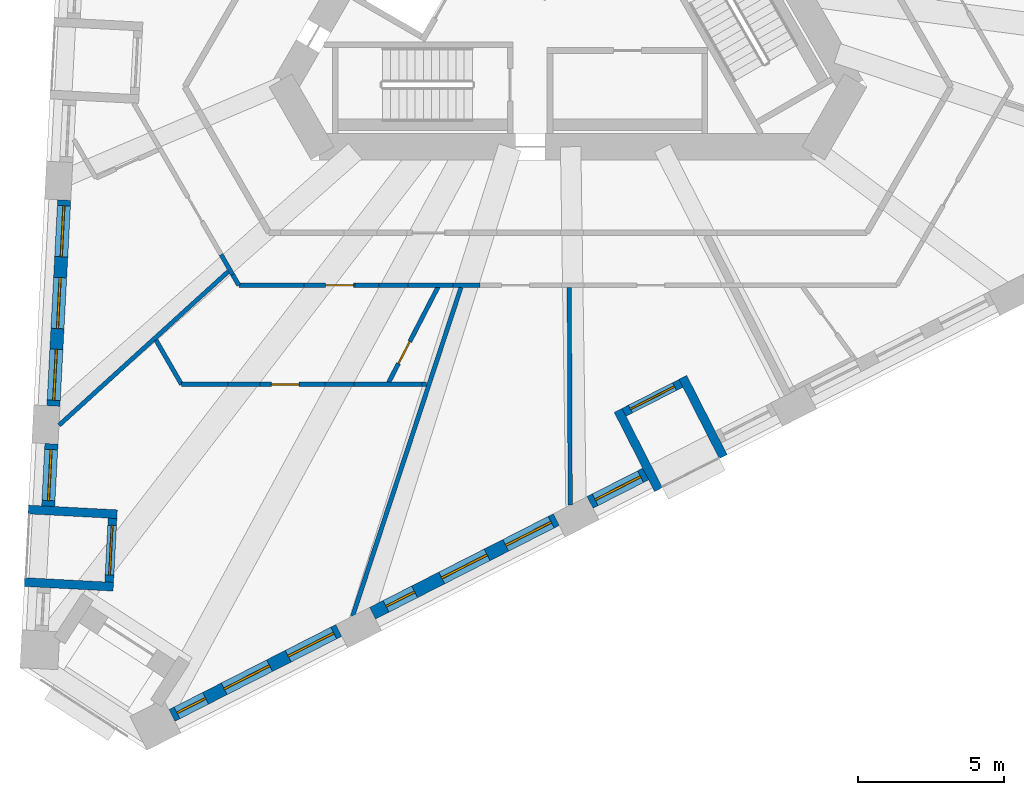
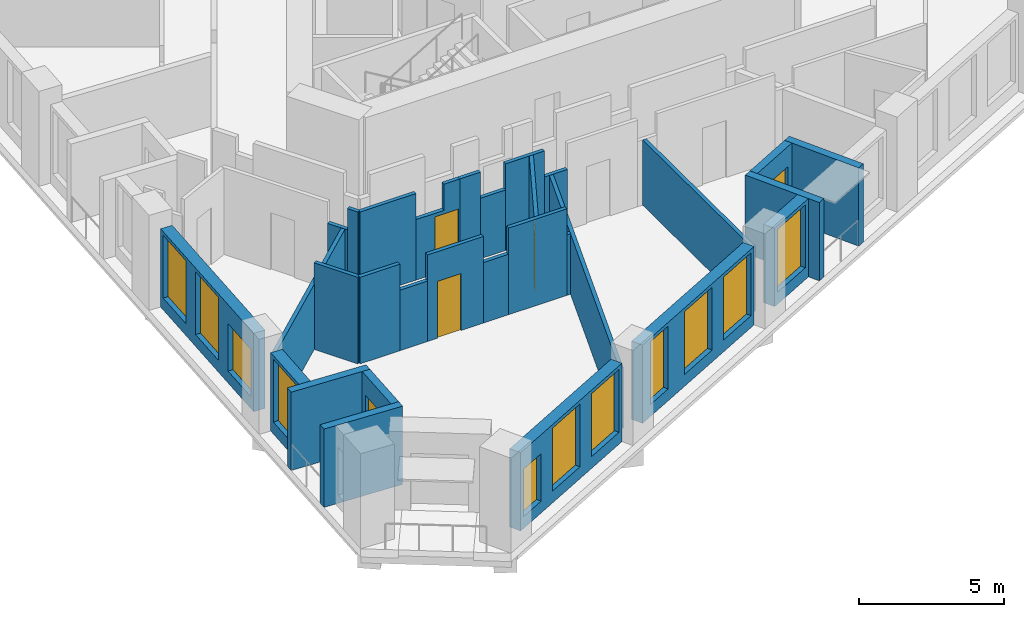
# One storey, part 2 of 12: 30 walls, 11 windows, 5 doors, 16 openings.
"""IFC4 building model written with IfcOpenShell, lengths in metres."""

from ifc_helpers import new_model, si_unit, direction, frame, frame_2d, origin, place, context, subcontext, project, spatial, polyline, rectangle, outline, extrude, material, layer, layer_set, type_object, element, fill, save


model = new_model("IFC4")

# Units and contexts
model_context = context("Model", 3, precision=1e-05, world=origin(), true_north=direction((0.0, 1.0)))
body_context = subcontext(model_context, "Body", "Model", "MODEL_VIEW")
ifc_project = project(units=[si_unit("LENGTHUNIT", "METRE"), si_unit("AREAUNIT", "SQUARE_METRE"), si_unit("VOLUMEUNIT", "CUBIC_METRE"), si_unit("PLANEANGLEUNIT", "RADIAN"), si_unit("MASSUNIT", "GRAM", prefix="KILO")], contexts=[model_context])

# Site, building, storey
site_placement = place(None, origin())
site = spatial("IfcSite", under=ifc_project, at=site_placement, CompositionType="ELEMENT")
building_placement = place(site_placement, origin())
building = spatial("IfcBuilding", under=site, at=building_placement, Name="Tramontana Tower", CompositionType="ELEMENT")
storey_placement = place(building_placement, frame((0.0, 0.0, 133.60009765625)))
storey = spatial("IfcBuildingStorey", under=building, at=storey_placement, Name="L30", CompositionType="ELEMENT", Elevation=133.60009765625)

# Wall, openings, windows
ifc_material_1 = material(Name="Precast concrete 60 MPa", Category="concrete")
ifc_layer_1 = layer(ifc_material_1, 0.449951171875)
ifc_layer_set_1 = layer_set([ifc_layer_1], Name="Precast concrete 60 MPa, 450 mm")
wall_type_1 = type_object("IfcWallType", Name="EW1 Stone-faced precast wall 450", PredefinedType="SOLIDWALL", material=ifc_layer_set_1)
wall_1_placement = place(storey_placement, frame((-17.274169921875, -8.128662109375, 0.0), z_axis=(0.0, 0.0, 1.0), x_axis=(-0.052339570873, -0.998629345313, 0.0)))
wall_1 = element("IfcWall", 1, at=wall_1_placement, inside=storey, type_object=wall_type_1, Name="External wall L30 face 0 bay 5", PredefinedType="SOLIDWALL", context=body_context, shape_type="SweptSolid", body=[
    extrude(rectangle(XDim=7.071533203125, YDim=0.449951171875, at=frame_2d((3.53564453125, 0.0))), origin(), (0.0, 0.0, 1.0), 3.2998046875),
])
opening_1_placement = place(wall_1_placement, frame((0.1953125, 0.0, 0.5)))
opening_1 = element("IfcOpeningElement", 2, at=opening_1_placement, cuts=wall_1, Name="Opening M2", PredefinedType="OPENING", context=body_context, shape_type="SweptSolid", body=[
    extrude(rectangle(XDim=1.75, YDim=2.64990234375, at=frame_2d((0.875, 1.324951171875))), frame((0.0, 0.23486328125, 0.0), z_axis=(0.0, -1.0, 0.0), x_axis=(1.0, 0.0, 0.0)), (0.0, 0.0, 1.0), 0.469970703125),
])
opening_2_placement = place(wall_1_placement, frame((2.660888671875, 0.0, 0.5)))
opening_2 = element("IfcOpeningElement", 3, at=opening_2_placement, cuts=wall_1, Name="Opening M2", PredefinedType="OPENING", context=body_context, shape_type="SweptSolid", body=[
    extrude(rectangle(XDim=1.75, YDim=2.64990234375, at=frame_2d((0.875, 1.324951171875))), frame((0.0, 0.23486328125, 0.0), z_axis=(0.0, -1.0, 0.0), x_axis=(1.0, 0.0, 0.0)), (0.0, 0.0, 1.0), 0.469970703125),
])
opening_3_placement = place(wall_1_placement, frame((5.126220703125, 0.0, 0.5)))
opening_3 = element("IfcOpeningElement", 4, at=opening_3_placement, cuts=wall_1, Name="Opening M2L", PredefinedType="OPENING", context=body_context, shape_type="SweptSolid", body=[
    extrude(rectangle(XDim=1.75, YDim=2.0, at=frame_2d((0.875, 1.0))), frame((0.0, 0.23486328125, 0.0), z_axis=(0.0, -1.0, 0.0), x_axis=(1.0, 0.0, 0.0)), (0.0, 0.0, 1.0), 0.469970703125),
])
ifc_material_2 = material(Name="Aluminum frame, double glazing unit", Category="aluminium")
window_type_1 = type_object("IfcWindowType", Name="M2 Window 1.75 x 2.65", PartitioningType="SINGLE_PANEL", PredefinedType="WINDOW", material=ifc_material_2)
window_1_placement = place(opening_1_placement, origin())
window_1 = element("IfcWindow", 5, at=window_1_placement, inside=storey, type_object=window_type_1, Name="Window M2 L30 face 0 module 13", OverallHeight=2.64990234375, OverallWidth=1.75, PartitioningType="SINGLE_PANEL", PredefinedType="WINDOW", context=body_context, shape_type="SweptSolid", body=[
    extrude(rectangle(XDim=1.75, YDim=2.64990234375, at=frame_2d((0.875, 1.324951171875))), frame((0.0, 0.030029296875, 0.0), z_axis=(0.0, -1.0, 0.0), x_axis=(1.0, 0.0, 0.0)), (0.0, 0.0, 1.0), 0.06005859375),
])
fill(opening_1, window_1)
window_2_placement = place(opening_2_placement, origin())
window_2 = element("IfcWindow", 6, at=window_2_placement, inside=storey, type_object=window_type_1, Name="Window M2 L30 face 0 module 14", OverallHeight=2.64990234375, OverallWidth=1.75, PartitioningType="SINGLE_PANEL", PredefinedType="WINDOW", context=body_context, shape_type="SweptSolid", body=[
    extrude(rectangle(XDim=1.75, YDim=2.64990234375, at=frame_2d((0.875, 1.324951171875))), frame((0.0, 0.030029296875, 0.0), z_axis=(0.0, -1.0, 0.0), x_axis=(1.0, 0.0, 0.0)), (0.0, 0.0, 1.0), 0.06005859375),
])
fill(opening_2, window_2)
ifc_material_3 = material(Name="Aluminum frame, double glazing unit", Category="aluminium")
window_type_2 = type_object("IfcWindowType", Name="M2L Window 1.75 x 2", PartitioningType="SINGLE_PANEL", PredefinedType="WINDOW", material=ifc_material_3)
window_3_placement = place(opening_3_placement, origin())
window_3 = element("IfcWindow", 7, at=window_3_placement, inside=storey, type_object=window_type_2, Name="Window M2L L30 face 0 module 15", OverallHeight=2.0, OverallWidth=1.75, PartitioningType="SINGLE_PANEL", PredefinedType="WINDOW", context=body_context, shape_type="SweptSolid", body=[
    extrude(rectangle(XDim=1.75, YDim=2.0, at=frame_2d((0.875, 1.0))), frame((0.0, 0.030029296875, 0.0), z_axis=(0.0, -1.0, 0.0), x_axis=(1.0, 0.0, 0.0)), (0.0, 0.0, 1.0), 0.06005859375),
])
fill(opening_3, window_3)

# Wall, opening, window
wall_2_placement = place(storey_placement, frame((-17.712158203125, -16.48876953125, 0.0), z_axis=(0.0, 0.0, 1.0), x_axis=(-0.05234931875, -0.998628834366, 0.0)))
wall_2 = element("IfcWall", 8, at=wall_2_placement, inside=storey, type_object=wall_type_1, Name="External wall L30 face 0 bay 6", PredefinedType="SOLIDWALL", context=body_context, shape_type="SweptSolid", body=[
    extrude(rectangle(XDim=2.140625, YDim=0.449951171875, at=frame_2d((1.0703125, 0.0))), origin(), (0.0, 0.0, 1.0), 3.2998046875),
])
opening_4_placement = place(wall_2_placement, frame((0.1953125, 0.0, 0.5)))
opening_4 = element("IfcOpeningElement", 9, at=opening_4_placement, cuts=wall_2, Name="Opening M2", PredefinedType="OPENING", context=body_context, shape_type="SweptSolid", body=[
    extrude(rectangle(XDim=1.75, YDim=2.64990234375, at=frame_2d((0.875, 1.324951171875))), frame((0.0, 0.23486328125, 0.0), z_axis=(0.0, -1.0, 0.0), x_axis=(1.0, 0.0, 0.0)), (0.0, 0.0, 1.0), 0.469970703125),
])
window_4_placement = place(opening_4_placement, origin())
window_4 = element("IfcWindow", 10, at=window_4_placement, inside=storey, type_object=window_type_1, Name="Window M2 L30 face 0 module 16", OverallHeight=2.64990234375, OverallWidth=1.75, PartitioningType="SINGLE_PANEL", PredefinedType="WINDOW", context=body_context, shape_type="SweptSolid", body=[
    extrude(rectangle(XDim=1.75, YDim=2.64990234375, at=frame_2d((0.875, 1.324951171875))), frame((0.0, 0.030029296875, 0.0), z_axis=(0.0, -1.0, 0.0), x_axis=(1.0, 0.0, 0.0)), (0.0, 0.0, 1.0), 0.06005859375),
])
fill(opening_4, window_4)

# Wall, openings, windows
wall_3_placement = place(storey_placement, frame((-13.580810546875, -25.802734375, 0.0), z_axis=(0.0, 0.0, 1.0), x_axis=(0.891010191031, 0.453983303085, 0.0)))
wall_3 = element("IfcWall", 11, at=wall_3_placement, inside=storey, type_object=wall_type_1, Name="External wall L30 face 1 bay 1", PredefinedType="SOLIDWALL", context=body_context, shape_type="SweptSolid", body=[
    extrude(rectangle(XDim=6.421630859375, YDim=0.449951171875, at=frame_2d((3.2109375, 0.0))), origin(), (0.0, 0.0, 1.0), 3.2998046875),
])
opening_5_placement = place(wall_3_placement, frame((0.1953125, 0.0, 0.5)))
opening_5 = element("IfcOpeningElement", 12, at=opening_5_placement, cuts=wall_3, Name="Opening N2L", PredefinedType="OPENING", context=body_context, shape_type="SweptSolid", body=[
    extrude(rectangle(XDim=1.10009765625, YDim=2.0, at=frame_2d((0.550048828125, 1.0))), frame((0.0, 0.23486328125, 0.0), z_axis=(0.0, -1.0, 0.0), x_axis=(1.0, 0.0, 0.0)), (0.0, 0.0, 1.0), 0.469970703125),
])
opening_6_placement = place(wall_3_placement, frame((2.0107421875, 0.0, 0.5)))
opening_6 = element("IfcOpeningElement", 13, at=opening_6_placement, cuts=wall_3, Name="Opening M2", PredefinedType="OPENING", context=body_context, shape_type="SweptSolid", body=[
    extrude(rectangle(XDim=1.75, YDim=2.64990234375, at=frame_2d((0.875, 1.324951171875))), frame((0.0, 0.23486328125, 0.0), z_axis=(0.0, -1.0, 0.0), x_axis=(1.0, 0.0, 0.0)), (0.0, 0.0, 1.0), 0.469970703125),
])
opening_7_placement = place(wall_3_placement, frame((4.476318359375, 0.0, 0.5)))
opening_7 = element("IfcOpeningElement", 14, at=opening_7_placement, cuts=wall_3, Name="Opening M2", PredefinedType="OPENING", context=body_context, shape_type="SweptSolid", body=[
    extrude(rectangle(XDim=1.75, YDim=2.64990234375, at=frame_2d((0.875, 1.324951171875))), frame((0.0, 0.23486328125, 0.0), z_axis=(0.0, -1.0, 0.0), x_axis=(1.0, 0.0, 0.0)), (0.0, 0.0, 1.0), 0.469970703125),
])
window_5_placement = place(opening_6_placement, origin())
window_5 = element("IfcWindow", 15, at=window_5_placement, inside=storey, type_object=window_type_1, Name="Window M2 L30 face 1 module 2", OverallHeight=2.64990234375, OverallWidth=1.75, PartitioningType="SINGLE_PANEL", PredefinedType="WINDOW", context=body_context, shape_type="SweptSolid", body=[
    extrude(rectangle(XDim=1.75, YDim=2.64990234375, at=frame_2d((0.875, 1.324951171875))), frame((0.0, 0.030029296875, 0.0), z_axis=(0.0, -1.0, 0.0), x_axis=(1.0, 0.0, 0.0)), (0.0, 0.0, 1.0), 0.06005859375),
])
fill(opening_6, window_5)
window_6_placement = place(opening_7_placement, origin())
window_6 = element("IfcWindow", 16, at=window_6_placement, inside=storey, type_object=window_type_1, Name="Window M2 L30 face 1 module 3", OverallHeight=2.64990234375, OverallWidth=1.75, PartitioningType="SINGLE_PANEL", PredefinedType="WINDOW", context=body_context, shape_type="SweptSolid", body=[
    extrude(rectangle(XDim=1.75, YDim=2.64990234375, at=frame_2d((0.875, 1.324951171875))), frame((0.0, 0.030029296875, 0.0), z_axis=(0.0, -1.0, 0.0), x_axis=(1.0, 0.0, 0.0)), (0.0, 0.0, 1.0), 0.06005859375),
])
fill(opening_7, window_6)
ifc_material_4 = material(Name="Aluminum frame, double glazing unit", Category="aluminium")
window_type_3 = type_object("IfcWindowType", Name="N2L Window 1.1 x 2", PartitioningType="SINGLE_PANEL", PredefinedType="WINDOW", material=ifc_material_4)
window_7_placement = place(opening_5_placement, origin())
window_7 = element("IfcWindow", 17, at=window_7_placement, inside=storey, type_object=window_type_3, Name="Window N2L L30 face 1 module 1", OverallHeight=2.0, OverallWidth=1.10009765625, PartitioningType="SINGLE_PANEL", PredefinedType="WINDOW", context=body_context, shape_type="SweptSolid", body=[
    extrude(rectangle(XDim=1.10009765625, YDim=2.0, at=frame_2d((0.550048828125, 1.0))), frame((0.0, 0.030029296875, 0.0), z_axis=(0.0, -1.0, 0.0), x_axis=(1.0, 0.0, 0.0)), (0.0, 0.0, 1.0), 0.06005859375),
])
fill(opening_5, window_7)

wall_4_placement = place(storey_placement, frame((-6.70068359375, -22.29736328125, 0.0), z_axis=(0.0, 0.0, 1.0), x_axis=(0.891004189171, 0.45399508244, 0.0)))
wall_4 = element("IfcWall", 18, at=wall_4_placement, inside=storey, type_object=wall_type_1, Name="External wall L30 face 1 bay 2", PredefinedType="SOLIDWALL", context=body_context, shape_type="SweptSolid", body=[
    extrude(rectangle(XDim=7.071533203125, YDim=0.449951171875, at=frame_2d((3.53564453125, 0.0))), origin(), (0.0, 0.0, 1.0), 3.2998046875),
])
opening_8_placement = place(wall_4_placement, frame((0.520263671875, 0.0, 0.5)))
opening_8 = element("IfcOpeningElement", 19, at=opening_8_placement, cuts=wall_4, Name="Opening N2", PredefinedType="OPENING", context=body_context, shape_type="SweptSolid", body=[
    extrude(rectangle(XDim=1.10009765625, YDim=2.64990234375, at=frame_2d((0.550048828125, 1.324951171875))), frame((0.0, 0.23486328125, 0.0), z_axis=(0.0, -1.0, 0.0), x_axis=(1.0, 0.0, 0.0)), (0.0, 0.0, 1.0), 0.469970703125),
])
opening_9_placement = place(wall_4_placement, frame((2.660888671875, 0.0, 0.5)))
opening_9 = element("IfcOpeningElement", 20, at=opening_9_placement, cuts=wall_4, Name="Opening M2", PredefinedType="OPENING", context=body_context, shape_type="SweptSolid", body=[
    extrude(rectangle(XDim=1.75, YDim=2.64990234375, at=frame_2d((0.875, 1.324951171875))), frame((0.0, 0.23486328125, 0.0), z_axis=(0.0, -1.0, 0.0), x_axis=(1.0, 0.0, 0.0)), (0.0, 0.0, 1.0), 0.469970703125),
])
opening_10_placement = place(wall_4_placement, frame((5.126220703125, 0.0, 0.5)))
opening_10 = element("IfcOpeningElement", 21, at=opening_10_placement, cuts=wall_4, Name="Opening M2", PredefinedType="OPENING", context=body_context, shape_type="SweptSolid", body=[
    extrude(rectangle(XDim=1.75, YDim=2.64990234375, at=frame_2d((0.875, 1.324951171875))), frame((0.0, 0.23486328125, 0.0), z_axis=(0.0, -1.0, 0.0), x_axis=(1.0, 0.0, 0.0)), (0.0, 0.0, 1.0), 0.469970703125),
])
window_8_placement = place(opening_9_placement, origin())
window_8 = element("IfcWindow", 22, at=window_8_placement, inside=storey, type_object=window_type_1, Name="Window M2 L30 face 1 module 5", OverallHeight=2.64990234375, OverallWidth=1.75, PartitioningType="SINGLE_PANEL", PredefinedType="WINDOW", context=body_context, shape_type="SweptSolid", body=[
    extrude(rectangle(XDim=1.75, YDim=2.64990234375, at=frame_2d((0.875, 1.324951171875))), frame((0.0, 0.030029296875, 0.0), z_axis=(0.0, -1.0, 0.0), x_axis=(1.0, 0.0, 0.0)), (0.0, 0.0, 1.0), 0.06005859375),
])
fill(opening_9, window_8)
window_9_placement = place(opening_10_placement, origin())
window_9 = element("IfcWindow", 23, at=window_9_placement, inside=storey, type_object=window_type_1, Name="Window M2 L30 face 1 module 6", OverallHeight=2.64990234375, OverallWidth=1.75, PartitioningType="SINGLE_PANEL", PredefinedType="WINDOW", context=body_context, shape_type="SweptSolid", body=[
    extrude(rectangle(XDim=1.75, YDim=2.64990234375, at=frame_2d((0.875, 1.324951171875))), frame((0.0, 0.030029296875, 0.0), z_axis=(0.0, -1.0, 0.0), x_axis=(1.0, 0.0, 0.0)), (0.0, 0.0, 1.0), 0.06005859375),
])
fill(opening_10, window_9)
ifc_material_5 = material(Name="Aluminum frame, double glazing unit", Category="aluminium")
window_type_4 = type_object("IfcWindowType", Name="N2 Window 1.1 x 2.65", PartitioningType="SINGLE_PANEL", PredefinedType="WINDOW", material=ifc_material_5)
window_10_placement = place(opening_8_placement, origin())
window_10 = element("IfcWindow", 24, at=window_10_placement, inside=storey, type_object=window_type_4, Name="Window N2 L30 face 1 module 4", OverallHeight=2.64990234375, OverallWidth=1.10009765625, PartitioningType="SINGLE_PANEL", PredefinedType="WINDOW", context=body_context, shape_type="SweptSolid", body=[
    extrude(rectangle(XDim=1.10009765625, YDim=2.64990234375, at=frame_2d((0.550048828125, 1.324951171875))), frame((0.0, 0.030029296875, 0.0), z_axis=(0.0, -1.0, 0.0), x_axis=(1.0, 0.0, 0.0)), (0.0, 0.0, 1.0), 0.06005859375),
])
fill(opening_8, window_10)

# Wall, opening, window
wall_5_placement = place(storey_placement, frame((0.75830078125, -18.496826171875, 0.0), z_axis=(0.0, 0.0, 1.0), x_axis=(0.890979432498, 0.454043666254, 0.0)))
wall_5 = element("IfcWall", 25, at=wall_5_placement, inside=storey, type_object=wall_type_1, Name="External wall L30 face 1 bay 3", PredefinedType="SOLIDWALL", context=body_context, shape_type="SweptSolid", body=[
    extrude(rectangle(XDim=2.140625, YDim=0.449951171875, at=frame_2d((1.0703125, 0.0))), origin(), (0.0, 0.0, 1.0), 3.2998046875),
])
opening_11_placement = place(wall_5_placement, frame((0.1953125, 0.0, 0.5)))
opening_11 = element("IfcOpeningElement", 26, at=opening_11_placement, cuts=wall_5, Name="Opening M2", PredefinedType="OPENING", context=body_context, shape_type="SweptSolid", body=[
    extrude(rectangle(XDim=1.75, YDim=2.64990234375, at=frame_2d((0.875, 1.324951171875))), frame((0.0, 0.23486328125, 0.0), z_axis=(0.0, -1.0, 0.0), x_axis=(1.0, 0.0, 0.0)), (0.0, 0.0, 1.0), 0.469970703125),
])
window_11_placement = place(opening_11_placement, origin())
window_11 = element("IfcWindow", 27, at=window_11_placement, inside=storey, type_object=window_type_1, Name="Window M2 L30 face 1 module 7", OverallHeight=2.64990234375, OverallWidth=1.75, PartitioningType="SINGLE_PANEL", PredefinedType="WINDOW", context=body_context, shape_type="SweptSolid", body=[
    extrude(rectangle(XDim=1.75, YDim=2.64990234375, at=frame_2d((0.875, 1.324951171875))), frame((0.0, 0.030029296875, 0.0), z_axis=(0.0, -1.0, 0.0), x_axis=(1.0, 0.0, 0.0)), (0.0, 0.0, 1.0), 0.06005859375),
])
fill(opening_11, window_11)

# Wall, opening, door
ifc_material_6 = material(Name="Precast concrete 60 MPa", Category="concrete")
ifc_layer_2 = layer(ifc_material_6, 0.300048828125)
ifc_layer_set_2 = layer_set([ifc_layer_2], Name="LW1 Stone-faced loggia wall 300")
wall_type_2 = type_object("IfcWallType", Name="LW1 Stone-faced loggia wall 300", PredefinedType="SOLIDWALL", material=ifc_layer_set_2)
wall_6_placement = place(storey_placement, frame((-15.617919921875, -19.04248046875, 0.0), z_axis=(0.0, 0.0, 1.0), x_axis=(-0.052383338583, -0.998627050424, 0.0)))
wall_6 = element("IfcWall", 28, at=wall_6_placement, inside=storey, type_object=wall_type_2, Name="Loggia wall L30 G3S0.16", PredefinedType="SOLIDWALL", context=body_context, shape_type="SweptSolid", body=[
    extrude(rectangle(XDim=2.1904296875, YDim=0.300048828125, at=frame_2d((1.09521484375, 0.0))), origin(), (0.0, 0.0, 1.0), 3.2998046875),
])
opening_12_placement = place(wall_6_placement, frame((0.245361328125, 0.0, 0.0)))
opening_12 = element("IfcOpeningElement", 29, at=opening_12_placement, cuts=wall_6, Name="Opening BD-3S0-16", PredefinedType="OPENING", context=body_context, shape_type="SweptSolid", body=[
    extrude(rectangle(XDim=1.699951171875, YDim=2.449951171875, at=frame_2d((0.85009765625, 1.22509765625))), frame((0.0, 0.159912109375, 0.0), z_axis=(0.0, -1.0, 0.0), x_axis=(1.0, 0.0, 0.0)), (0.0, 0.0, 1.0), 0.320068359375),
])
ifc_material_7 = material(Name="Aluminum frame, double glazing unit", Category="aluminium")
door_type_1 = type_object("IfcDoorType", Name="BD2 Sliding door 1.7 x 2.45", OperationType="SLIDING_TO_LEFT", PredefinedType="DOOR", material=ifc_material_7)
door_1_placement = place(opening_12_placement, origin())
door_1 = element("IfcDoor", 30, at=door_1_placement, inside=storey, type_object=door_type_1, Name="Loggia door L30 G3S0.16", OperationType="SLIDING_TO_LEFT", OverallHeight=2.449951171875, OverallWidth=1.699951171875, PredefinedType="DOOR", context=body_context, shape_type="SweptSolid", body=[
    extrude(rectangle(XDim=1.699951171875, YDim=2.449951171875, at=frame_2d((0.85009765625, 1.22509765625))), frame((0.0, 0.02490234375, 0.0), z_axis=(0.0, -1.0, 0.0), x_axis=(1.0, 0.0, 0.0)), (0.0, 0.0, 1.0), 0.050048828125),
])
fill(opening_12, door_1)

# Walls
for number, where, z_axis, x_axis, name in (
    (31, (-18.506103515625, -18.74072265625, 0.0), (0.0, 0.0, 1.0), (0.998628643661, -0.052352956549, 0.0), "Loggia return L30 G3S0.16a"),
    (32, (-18.636474609375, -21.22802734375, 0.0), (0.0, 0.0, 1.0), (0.998632825615, -0.05227312506, 0.0), "Loggia return L30 G3S0.16b"),
):
    element("IfcWall", number, at=place(storey_placement, frame(where, z_axis=z_axis, x_axis=x_axis)), inside=storey, type_object=wall_type_2, Name=name, PredefinedType="SOLIDWALL", context=body_context, shape_type="SweptSolid", body=[
        extrude(rectangle(XDim=3.0498046875, YDim=0.300048828125, at=frame_2d((1.52490234375, 0.0))), origin(), (0.0, 0.0, 1.0), 3.2998046875),
    ])

# Wall, opening, door
wall_7_placement = place(storey_placement, frame((1.9228515625, -15.40625, 0.0), z_axis=(0.0, 0.0, 1.0), x_axis=(0.891013126725, 0.4539775413, 0.0)))
wall_7 = element("IfcWall", 33, at=wall_7_placement, inside=storey, type_object=wall_type_2, Name="Loggia wall L30 G3S1.7", PredefinedType="SOLIDWALL", context=body_context, shape_type="SweptSolid", body=[
    extrude(rectangle(XDim=2.1904296875, YDim=0.300048828125, at=frame_2d((1.09521484375, 0.0))), origin(), (0.0, 0.0, 1.0), 3.2998046875),
])
opening_13_placement = place(wall_7_placement, frame((0.245361328125, 0.0, 0.0)))
opening_13 = element("IfcOpeningElement", 34, at=opening_13_placement, cuts=wall_7, Name="Opening BD-3S1-07", PredefinedType="OPENING", context=body_context, shape_type="SweptSolid", body=[
    extrude(rectangle(XDim=1.699951171875, YDim=2.449951171875, at=frame_2d((0.85009765625, 1.22509765625))), frame((0.0, 0.159912109375, 0.0), z_axis=(0.0, -1.0, 0.0), x_axis=(1.0, 0.0, 0.0)), (0.0, 0.0, 1.0), 0.320068359375),
])
door_2_placement = place(opening_13_placement, origin())
door_2 = element("IfcDoor", 35, at=door_2_placement, inside=storey, type_object=door_type_1, Name="Loggia door L30 G3S1.7", OperationType="SLIDING_TO_LEFT", OverallHeight=2.449951171875, OverallWidth=1.699951171875, PredefinedType="DOOR", context=body_context, shape_type="SweptSolid", body=[
    extrude(rectangle(XDim=1.699951171875, YDim=2.449951171875, at=frame_2d((0.85009765625, 1.22509765625))), frame((0.0, 0.02490234375, 0.0), z_axis=(0.0, -1.0, 0.0), x_axis=(1.0, 0.0, 0.0)), (0.0, 0.0, 1.0), 0.050048828125),
])
fill(opening_13, door_2)

# Walls
wall_8_placement = place(storey_placement, frame((3.105712890625, -18.058349609375, 0.0), z_axis=(0.0, 0.0, 1.0), x_axis=(-0.453988129332, 0.891007731968, 0.0)))
element("IfcWall", 36, at=wall_8_placement, inside=storey, type_object=wall_type_2, Name="Loggia return L30 G3S1.7a", PredefinedType="SOLIDWALL", context=body_context, shape_type="SweptSolid", body=[
    extrude(rectangle(XDim=3.05029296875, YDim=0.300048828125, at=frame_2d((1.525146484375, 0.0))), origin(), (0.0, 0.0, 1.0), 3.2998046875),
])
wall_9_placement = place(storey_placement, frame((5.32470703125, -16.927490234375, 0.0), z_axis=(0.0, 0.0, 1.0), x_axis=(-0.453956959009, 0.891023613249, 0.0)))
element("IfcWall", 37, at=wall_9_placement, inside=storey, type_object=wall_type_2, Name="Loggia return L30 G3S1.7b", PredefinedType="SOLIDWALL", context=body_context, shape_type="SweptSolid", body=[
    extrude(rectangle(XDim=3.0498046875, YDim=0.300048828125, at=frame_2d((1.52490234375, 0.0))), origin(), (0.0, 0.0, 1.0), 3.2998046875),
])
ifc_material_8 = material(Name="Gypsum board partition")
ifc_layer_3 = layer(ifc_material_8, 0.14990234375)
ifc_layer_set_3 = layer_set([ifc_layer_3], Name="PARTITION 150")
wall_type_3 = type_object("IfcWallType", Name="PARTITION 150", PredefinedType="PARTITIONING", material=ifc_layer_set_3)
wall_10_placement = place(storey_placement, frame((-17.45361328125, -15.851318359375, 0.0), z_axis=(0.0, 0.0, 1.0), x_axis=(0.740276567096, 0.672302464824, 0.0)))
element("IfcWall", 38, at=wall_10_placement, inside=storey, type_object=wall_type_3, Name="Wall v30-pw00-0", PredefinedType="PARTITIONING", context=body_context, shape_type="SweptSolid", body=[
    extrude(rectangle(XDim=7.84423828125, YDim=0.14990234375, at=frame_2d((3.922119140625, 0.0))), origin(), (0.0, 0.0, 1.0), 2.75),
])
wall_11_placement = place(storey_placement, frame((-13.250244140625, -14.449951171875, 0.0), z_axis=(0.0, 0.0, 1.0), x_axis=(-0.500047902311, 0.865997745606, 0.0)))
element("IfcWall", 39, at=wall_11_placement, inside=storey, type_object=wall_type_3, Name="Wall v30-pw03", PredefinedType="PARTITIONING", context=body_context, shape_type="SweptSolid", body=[
    extrude(rectangle(XDim=1.753173828125, YDim=0.14990234375, at=frame_2d((0.87646484375, 0.0))), origin(), (0.0, 0.0, 1.0), 3.64990234375),
])
wall_12_placement = place(storey_placement, frame((-11.287353515625, -11.050048828125, 0.0), z_axis=(0.0, 0.0, 1.0), x_axis=(-0.499489419809, 0.866319986782, 0.0)))
element("IfcWall", 40, at=wall_12_placement, inside=storey, type_object=wall_type_3, Name="Wall v30-pw05-0", PredefinedType="PARTITIONING", context=body_context, shape_type="SweptSolid", body=[
    extrude(rectangle(XDim=0.42333984375, YDim=0.14990234375, at=frame_2d((0.211669921875, 0.0))), origin(), (0.0, 0.0, 1.0), 3.64990234375),
])
wall_13_placement = place(storey_placement, frame((-11.498779296875, -10.683349609375, 0.0), z_axis=(0.0, 0.0, 1.0), x_axis=(-0.50012328804, 0.865954211699, 0.0)))
element("IfcWall", 41, at=wall_13_placement, inside=storey, type_object=wall_type_3, Name="Wall v30-pw05-1", PredefinedType="PARTITIONING", context=body_context, shape_type="SweptSolid", body=[
    extrude(rectangle(XDim=0.790771484375, YDim=0.14990234375, at=frame_2d((0.3955078125, 0.0))), origin(), (0.0, 0.0, 1.0), 2.75),
])
wall_14_placement = place(storey_placement, frame((-4.8427734375, -14.449951171875, 0.0), z_axis=(0.0, 0.0, 1.0), x_axis=(-1.0, 0.0, 0.0)))
element("IfcWall", 42, at=wall_14_placement, inside=storey, type_object=wall_type_3, Name="Wall v30-pw15-0", PredefinedType="PARTITIONING", context=body_context, shape_type="SweptSolid", body=[
    extrude(rectangle(XDim=0.166259765625, YDim=0.14990234375, at=frame_2d((0.0830078125, 0.0))), origin(), (0.0, 0.0, 1.0), 2.5498046875),
])
wall_15_placement = place(storey_placement, frame((-5.009033203125, -14.449951171875, 0.0), z_axis=(0.0, 0.0, 1.0), x_axis=(-1.0, 0.0, 0.0)))
element("IfcWall", 43, at=wall_15_placement, inside=storey, type_object=wall_type_3, Name="Wall v30-pw15-1", PredefinedType="PARTITIONING", context=body_context, shape_type="SweptSolid", body=[
    extrude(rectangle(XDim=2.320556640625, YDim=0.14990234375, at=frame_2d((1.16015625, 0.0))), origin(), (0.0, 0.0, 1.0), 3.64990234375),
])
wall_16_placement = place(storey_placement, frame((-7.32958984375, -14.449951171875, 0.0), z_axis=(0.0, 0.0, 1.0), x_axis=(-1.0, 0.0, 0.0)))
element("IfcWall", 44, at=wall_16_placement, inside=storey, type_object=wall_type_3, Name="Wall v30-pw15-2", PredefinedType="PARTITIONING", context=body_context, shape_type="SweptSolid", body=[
    extrude(rectangle(XDim=0.9951171875, YDim=0.14990234375, at=frame_2d((0.49755859375, 0.0))), origin(), (0.0, 0.0, 1.0), 2.5498046875),
])

# Wall, opening, door
wall_17_placement = place(storey_placement, frame((-8.32470703125, -14.449951171875, 0.0), z_axis=(0.0, 0.0, 1.0), x_axis=(-1.0, 0.0, 0.0)))
wall_17 = element("IfcWall", 45, at=wall_17_placement, inside=storey, type_object=wall_type_3, Name="Wall v30-pw15-3", PredefinedType="PARTITIONING", context=body_context, shape_type="SweptSolid", body=[
    extrude(rectangle(XDim=2.234130859375, YDim=0.14990234375, at=frame_2d((1.1171875, 0.0))), origin(), (0.0, 0.0, 1.0), 3.64990234375),
])
opening_14_placement = place(wall_17_placement, frame((0.896240234375, 0.0, 0.0)))
opening_14 = element("IfcOpeningElement", 46, at=opening_14_placement, cuts=wall_17, Name="Opening B3A-18", PredefinedType="OPENING", context=body_context, shape_type="SweptSolid", body=[
    extrude(rectangle(XDim=0.949951171875, YDim=2.39990234375, at=frame_2d((0.47509765625, 1.199951171875))), frame((0.0, 0.0849609375, 0.0), z_axis=(0.0, -1.0, 0.0), x_axis=(1.0, 0.0, 0.0)), (0.0, 0.0, 1.0), 0.169921875),
])
ifc_material_9 = material(Name="Painted timber", Category="wood")
door_type_2 = type_object("IfcDoorType", Name="DOOR ROOM 950", OperationType="SINGLE_SWING_LEFT", PredefinedType="DOOR", material=ifc_material_9)
door_3_placement = place(opening_14_placement, origin())
door_3 = element("IfcDoor", 47, at=door_3_placement, inside=storey, type_object=door_type_2, Name="Door B3A-18", OperationType="SINGLE_SWING_RIGHT", OverallHeight=2.39990234375, OverallWidth=0.949951171875, PredefinedType="DOOR", context=body_context, shape_type="SweptSolid", body=[
    extrude(rectangle(XDim=0.949951171875, YDim=2.39990234375, at=frame_2d((0.47509765625, 1.199951171875))), frame((0.0, 0.02490234375, 0.0), z_axis=(0.0, -1.0, 0.0), x_axis=(1.0, 0.0, 0.0)), (0.0, 0.0, 1.0), 0.050048828125),
])
fill(opening_14, door_3)

# Walls
wall_18_placement = place(storey_placement, frame((-10.558837890625, -14.449951171875, 0.0), z_axis=(0.0, 0.0, 1.0), x_axis=(-1.0, 0.0, 0.0)))
element("IfcWall", 48, at=wall_18_placement, inside=storey, type_object=wall_type_3, Name="Wall v30-pw15-4", PredefinedType="PARTITIONING", context=body_context, shape_type="SweptSolid", body=[
    extrude(rectangle(XDim=1.103759765625, YDim=0.14990234375, at=frame_2d((0.5517578125, 0.0))), origin(), (0.0, 0.0, 1.0), 2.5498046875),
])
wall_19_placement = place(storey_placement, frame((-11.66259765625, -14.449951171875, 0.0), z_axis=(0.0, 0.0, 1.0), x_axis=(-1.0, 0.0, 0.0)))
element("IfcWall", 49, at=wall_19_placement, inside=storey, type_object=wall_type_3, Name="Wall v30-pw15-5", PredefinedType="PARTITIONING", context=body_context, shape_type="SweptSolid", body=[
    extrude(rectangle(XDim=1.58740234375, YDim=0.14990234375, at=frame_2d((0.793701171875, 0.0))), origin(), (0.0, 0.0, 1.0), 3.64990234375),
])

# Wall, opening, door
wall_20_placement = place(storey_placement, frame((-4.42529296875, -11.052001953125, 0.0), z_axis=(0.0, 0.0, 1.0), x_axis=(-0.459481978347, -0.888187092664, 0.0)))
wall_20 = element("IfcWall", 50, at=wall_20_placement, inside=storey, type_object=wall_type_3, Name="Wall v30-pw16", PredefinedType="PARTITIONING", context=body_context, shape_type="SweptSolid", body=[
    extrude(rectangle(XDim=3.823486328125, YDim=0.14990234375, at=frame_2d((1.91162109375, 0.0))), origin(), (0.0, 0.0, 1.0), 3.64990234375),
])
opening_15_placement = place(wall_20_placement, frame((2.169921875, 0.0, 0.0)))
opening_15 = element("IfcOpeningElement", 51, at=opening_15_placement, cuts=wall_20, Name="Opening B3A-20", PredefinedType="OPENING", context=body_context, shape_type="SweptSolid", body=[
    extrude(rectangle(XDim=0.85009765625, YDim=2.39990234375, at=frame_2d((0.425048828125, 1.199951171875))), frame((0.0, 0.0849609375, 0.0), z_axis=(0.0, -1.0, 0.0), x_axis=(1.0, 0.0, 0.0)), (0.0, 0.0, 1.0), 0.169921875),
])
ifc_material_10 = material(Name="Painted timber", Category="wood")
door_type_3 = type_object("IfcDoorType", Name="DOOR BATH 850", OperationType="SINGLE_SWING_LEFT", PredefinedType="DOOR", material=ifc_material_10)
door_4_placement = place(opening_15_placement, origin())
door_4 = element("IfcDoor", 52, at=door_4_placement, inside=storey, type_object=door_type_3, Name="Door B3A-20", OperationType="SINGLE_SWING_RIGHT", OverallHeight=2.39990234375, OverallWidth=0.85009765625, PredefinedType="DOOR", context=body_context, shape_type="SweptSolid", body=[
    extrude(rectangle(XDim=0.85009765625, YDim=2.39990234375, at=frame_2d((0.425048828125, 1.199951171875))), frame((0.0, 0.02490234375, 0.0), z_axis=(0.0, -1.0, 0.0), x_axis=(1.0, 0.0, 0.0)), (0.0, 0.0, 1.0), 0.050048828125),
])
fill(opening_15, door_4)

# Walls
wall_21_placement = place(storey_placement, frame((-3.667724609375, -11.125, 0.0), z_axis=(0.0, 0.0, 1.0), x_axis=(-0.313095908813, -0.949721512805, 0.0)))
element("IfcWall", 53, at=wall_21_placement, inside=storey, type_object=wall_type_3, Name="Wall v30-pw18-0", PredefinedType="PARTITIONING", context=body_context, shape_type="SweptSolid", body=[
    extrude(rectangle(XDim=11.86328125, YDim=0.14990234375, at=frame_2d((5.931640625, 0.0))), origin(), (0.0, 0.0, 1.0), 2.5498046875),
])
wall_22_placement = place(storey_placement, frame((0.046142578125, -11.125, 0.0), z_axis=(0.0, 0.0, 1.0), x_axis=(0.004152733795, -0.999991377364, 0.0)))
element("IfcWall", 54, at=wall_22_placement, inside=storey, type_object=wall_type_3, Name="Wall v30-pw19-0", PredefinedType="PARTITIONING", context=body_context, shape_type="SweptSolid", body=[
    extrude(rectangle(XDim=7.46630859375, YDim=0.14990234375, at=frame_2d((3.733154296875, 0.0))), origin(), (0.0, 0.0, 1.0), 2.75),
])
wall_23_placement = place(storey_placement, frame((-3.02099609375, -11.050048828125, 0.0), z_axis=(0.0, 0.0, 1.0), x_axis=(-1.0, 0.0, 0.0)))
element("IfcWall", 55, at=wall_23_placement, inside=storey, type_object=wall_type_3, Name="Wall v30-pw28-5", PredefinedType="PARTITIONING", context=body_context, shape_type="SweptSolid", body=[
    extrude(rectangle(XDim=0.91748046875, YDim=0.14990234375, at=frame_2d((0.458740234375, 0.0))), origin(), (0.0, 0.0, 1.0), 2.5498046875),
])
wall_24_placement = place(storey_placement, frame((-3.9384765625, -11.050048828125, 0.0), z_axis=(0.0, 0.0, 1.0), x_axis=(-1.0, 0.0, 0.0)))
element("IfcWall", 56, at=wall_24_placement, inside=storey, type_object=wall_type_3, Name="Wall v30-pw28-6", PredefinedType="PARTITIONING", context=body_context, shape_type="SweptSolid", body=[
    extrude(rectangle(XDim=1.54931640625, YDim=0.14990234375, at=frame_2d((0.774658203125, 0.0))), origin(), (0.0, 0.0, 1.0), 3.64990234375),
])
wall_25_placement = place(storey_placement, frame((-5.48779296875, -11.050048828125, 0.0), z_axis=(0.0, 0.0, 1.0), x_axis=(-1.0, 0.0, 0.0)))
element("IfcWall", 57, at=wall_25_placement, inside=storey, type_object=wall_type_3, Name="Wall v30-pw28-7", PredefinedType="PARTITIONING", context=body_context, shape_type="SweptSolid", body=[
    extrude(rectangle(XDim=0.9951171875, YDim=0.14990234375, at=frame_2d((0.49755859375, 0.0))), origin(), (0.0, 0.0, 1.0), 2.5498046875),
])
wall_26_placement = place(storey_placement, frame((-6.48291015625, -11.050048828125, 0.0), z_axis=(0.0, 0.0, 1.0), x_axis=(-1.0, 0.0, 0.0)))
element("IfcWall", 58, at=wall_26_placement, inside=storey, type_object=wall_type_3, Name="Wall v30-pw28-8", PredefinedType="PARTITIONING", context=body_context, shape_type="SweptSolid", body=[
    extrude(rectangle(XDim=0.8271484375, YDim=0.14990234375, at=frame_2d((0.41357421875, 0.0))), origin(), (0.0, 0.0, 1.0), 3.64990234375),
])

# Wall, opening, door
wall_27_placement = place(storey_placement, frame((-7.31005859375, -11.050048828125, 0.0), z_axis=(0.0, 0.0, 1.0), x_axis=(-1.0, 0.0, 0.0)))
wall_27 = element("IfcWall", 59, at=wall_27_placement, inside=storey, type_object=wall_type_3, Name="Wall v30-pw28-9", PredefinedType="PARTITIONING", context=body_context, shape_type="SweptSolid", body=[
    extrude(outline(polyline([(0.0, 0.0), (1.73828125, 0.0), (1.73828125, 2.5498046875), (0.634521484375, 2.5498046875), (0.634521484375, 3.64990234375), (0.0, 3.64990234375), (0.0, 0.0)])), frame((0.0, 0.074951171875, 0.0), z_axis=(0.0, -1.0, 0.0), x_axis=(1.0, 0.0, 0.0)), (0.0, 0.0, 1.0), 0.14990234375),
])
opening_16_placement = place(wall_27_placement, frame((0.050048828125, 0.0, 0.0)))
opening_16 = element("IfcOpeningElement", 60, at=opening_16_placement, cuts=wall_27, Name="Opening B3A-08", PredefinedType="OPENING", context=body_context, shape_type="SweptSolid", body=[
    extrude(rectangle(XDim=0.949951171875, YDim=2.39990234375, at=frame_2d((0.47509765625, 1.199951171875))), frame((0.0, 0.0849609375, 0.0), z_axis=(0.0, -1.0, 0.0), x_axis=(1.0, 0.0, 0.0)), (0.0, 0.0, 1.0), 0.169921875),
])
door_5_placement = place(opening_16_placement, origin())
door_5 = element("IfcDoor", 61, at=door_5_placement, inside=storey, type_object=door_type_2, Name="Door B3A-08", OperationType="SINGLE_SWING_RIGHT", OverallHeight=2.39990234375, OverallWidth=0.949951171875, PredefinedType="DOOR", context=body_context, shape_type="SweptSolid", body=[
    extrude(rectangle(XDim=0.949951171875, YDim=2.39990234375, at=frame_2d((0.47509765625, 1.199951171875))), frame((0.0, 0.02490234375, 0.0), z_axis=(0.0, -1.0, 0.0), x_axis=(1.0, 0.0, 0.0)), (0.0, 0.0, 1.0), 0.050048828125),
])
fill(opening_16, door_5)

# Wall
wall_28_placement = place(storey_placement, frame((-9.04833984375, -11.050048828125, 0.0), z_axis=(0.0, 0.0, 1.0), x_axis=(-1.0, 0.0, 0.0)))
element("IfcWall", 62, at=wall_28_placement, inside=storey, type_object=wall_type_3, Name="Wall v30-pw28-10", PredefinedType="PARTITIONING", context=body_context, shape_type="SweptSolid", body=[
    extrude(rectangle(XDim=2.23876953125, YDim=0.14990234375, at=frame_2d((1.119384765625, 0.0))), origin(), (0.0, 0.0, 1.0), 3.64990234375),
])

save(model, "model.ifc")
